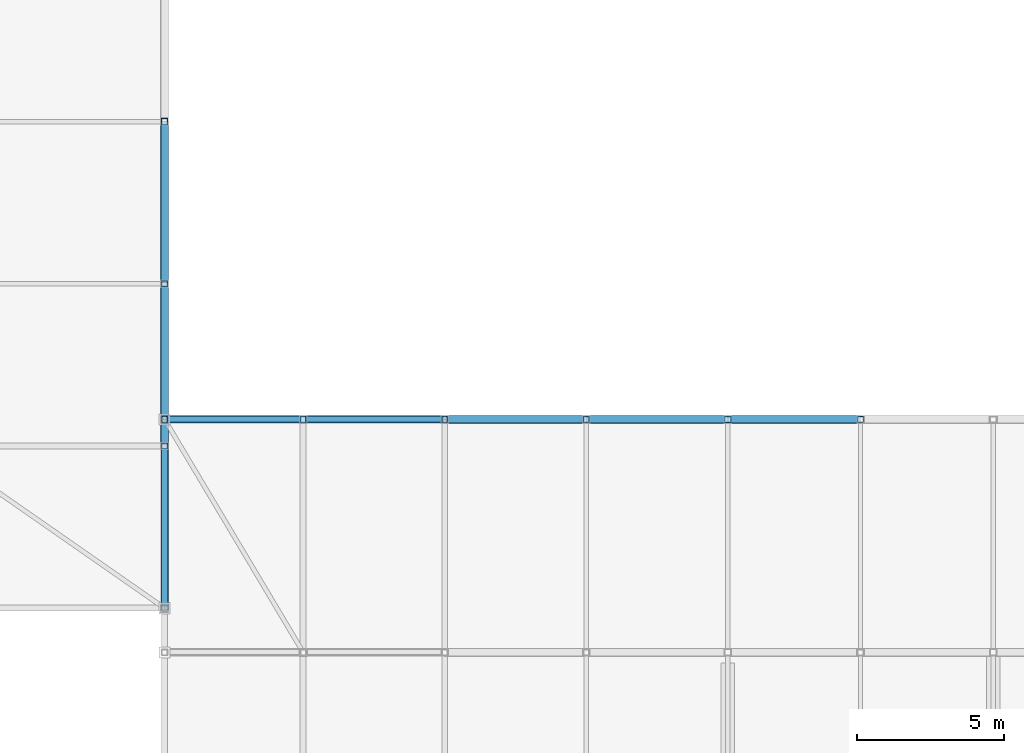
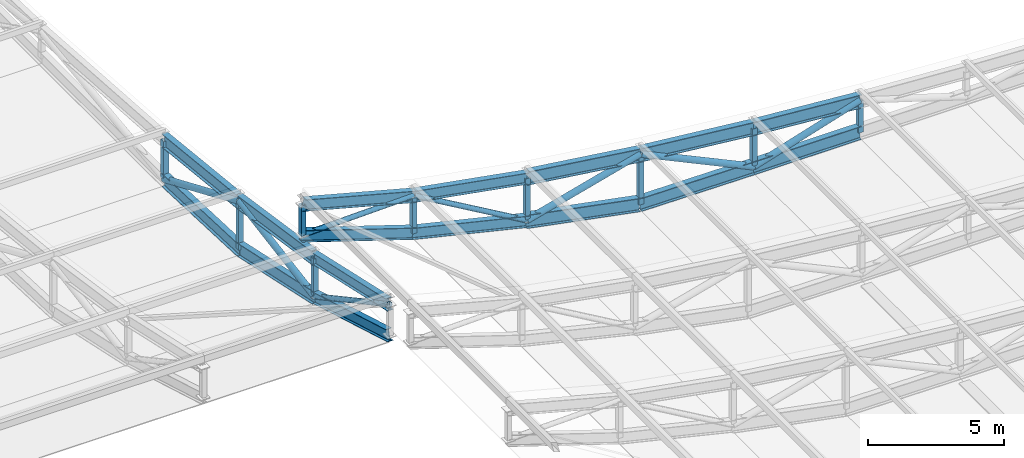
# One storey, part 65 of 114: 17 members, 16 beams.
"""IFC4 building model written with IfcOpenShell, lengths in metres."""

from ifc_helpers import new_model, si_unit, direction, frame, origin, origin_2d, place, context, subcontext, project, spatial, hollow_rectangle, hollow_circle, i_section, extrude, material, material_profile, profile_set, type_object, element, save


model = new_model("IFC4")

# Units and contexts
model_context = context("Model", 3, precision=1e-05, world=origin(), true_north=direction((0.0, 1.0)))
body_context = subcontext(model_context, "Body", "Model", "MODEL_VIEW")
ifc_project = project(units=[si_unit("LENGTHUNIT", "METRE"), si_unit("AREAUNIT", "SQUARE_METRE"), si_unit("VOLUMEUNIT", "CUBIC_METRE"), si_unit("PLANEANGLEUNIT", "RADIAN"), si_unit("MASSUNIT", "GRAM", prefix="KILO"), si_unit("THERMODYNAMICTEMPERATUREUNIT", "KELVIN"), si_unit("POWERUNIT", "WATT")], contexts=[model_context])

# Site, building, storey
site_placement = place(None, origin())
site = spatial("IfcSite", under=ifc_project, at=site_placement, CompositionType="ELEMENT")
building_placement = place(site_placement, origin())
building = spatial("IfcBuilding", under=site, at=building_placement, Name="Sindhuravela Promenade Stadium", CompositionType="ELEMENT")
storey_placement = place(building_placement, frame((0.0, 0.0, 24.0)))
storey = spatial("IfcBuildingStorey", under=building, at=storey_placement, Name="L05", CompositionType="ELEMENT", Elevation=24.0)

# Beams
ifc_material = material(Name="Steel E350 (IS 2062 E350BR)", Category="steel")
ifc_material_profile_1 = material_profile(ifc_material, i_section(OverallWidth=0.25, OverallDepth=0.5, WebThickness=0.010009765625, FlangeThickness=0.0146484375, FilletRadius=0.014892578125, at=origin_2d()), Name="ISWB 500")
ifc_profile_set_1 = profile_set([ifc_material_profile_1], Name="Steel E350 (IS 2062 E350BR)")
beam_type_1 = type_object("IfcBeamType", Name="ST-BM-WB500", PredefinedType="USERDEFINED", material=ifc_profile_set_1)
beam_1_placement = place(storey_placement, frame((170.39990234375, 124.89990234375, 2.889892578125), z_axis=(-0.9842948598662152, 0.0, 0.17653223173388988), x_axis=(0.0, -1.0, 0.0)))
element("IfcBeam", 1, at=beam_1_placement, inside=storey, type_object=beam_type_1, Name="Roof truss RT-E09 top chord 7", ObjectType="ROOF TRUSS", PredefinedType="USERDEFINED", context=body_context, shape_type="SweptSolid", body=[
    extrude(i_section(OverallWidth=0.25, OverallDepth=0.5, WebThickness=0.010009765625, FlangeThickness=0.0146484375, FilletRadius=0.014892578125, at=origin_2d()), origin(), (0.0, 0.0, 1.0), 4.87646484375),
])
beam_2_placement = place(storey_placement, frame((170.39990234375, 124.89990234375, 0.955322265625), z_axis=(-0.9727610703429832, 0.0, 0.23181005160513105), x_axis=(0.0, -1.0, 0.0)))
element("IfcBeam", 2, at=beam_2_placement, inside=storey, type_object=beam_type_1, Name="Roof truss RT-E09 bottom chord 7", ObjectType="ROOF TRUSS", PredefinedType="USERDEFINED", context=body_context, shape_type="SweptSolid", body=[
    extrude(i_section(OverallWidth=0.25, OverallDepth=0.5, WebThickness=0.010009765625, FlangeThickness=0.0146484375, FilletRadius=0.014892578125, at=origin_2d()), origin(), (0.0, 0.0, 1.0), 4.934326171875),
])
beam_3_placement = place(storey_placement, frame((165.60009765625, 124.89990234375, 3.750732421875), z_axis=(-0.9664454134987205, 0.0, 0.2568720746349965), x_axis=(0.0, -1.0, 0.0)))
element("IfcBeam", 3, at=beam_3_placement, inside=storey, type_object=beam_type_1, Name="Roof truss RT-E09 top chord 8", ObjectType="ROOF TRUSS", PredefinedType="USERDEFINED", context=body_context, shape_type="SweptSolid", body=[
    extrude(i_section(OverallWidth=0.25, OverallDepth=0.5, WebThickness=0.010009765625, FlangeThickness=0.0146484375, FilletRadius=0.014892578125, at=origin_2d()), origin(), (0.0, 0.0, 1.0), 4.86328125),
])
beam_4_placement = place(storey_placement, frame((165.60009765625, 124.89990234375, 2.09912109375), z_axis=(-0.951134224020653, 0.0, 0.3087777321903741), x_axis=(0.0, -1.0, 0.0)))
element("IfcBeam", 4, at=beam_4_placement, inside=storey, type_object=beam_type_1, Name="Roof truss RT-E09 bottom chord 8", ObjectType="ROOF TRUSS", PredefinedType="USERDEFINED", context=body_context, shape_type="SweptSolid", body=[
    extrude(i_section(OverallWidth=0.25, OverallDepth=0.5, WebThickness=0.010009765625, FlangeThickness=0.0146484375, FilletRadius=0.014892578125, at=origin_2d()), origin(), (0.0, 0.0, 1.0), 4.941650390625),
])
beam_5_placement = place(storey_placement, frame((160.89990234375, 124.0, 3.169189453125), z_axis=(0.0, -0.9758669805330386, 0.2183658313595103), x_axis=(1.0, 0.0, 0.0)))
element("IfcBeam", 5, at=beam_5_placement, inside=storey, type_object=beam_type_1, Name="Roof truss RT-N09 top chord 5", ObjectType="ROOF TRUSS", PredefinedType="USERDEFINED", context=body_context, shape_type="SweptSolid", body=[
    extrude(i_section(OverallWidth=0.25, OverallDepth=0.5, WebThickness=0.010009765625, FlangeThickness=0.0146484375, FilletRadius=0.014892578125, at=origin_2d()), origin(), (0.0, 0.0, 1.0), 5.635986328125),
])
beam_6_placement = place(storey_placement, frame((160.89990234375, 124.0, 1.419189453125), z_axis=(0.0, -0.9599274278129861, 0.28024869907342015), x_axis=(1.0, 0.0, 0.0)))
element("IfcBeam", 6, at=beam_6_placement, inside=storey, type_object=beam_type_1, Name="Roof truss RT-N09 bottom chord 5", ObjectType="ROOF TRUSS", PredefinedType="USERDEFINED", context=body_context, shape_type="SweptSolid", body=[
    extrude(i_section(OverallWidth=0.25, OverallDepth=0.5, WebThickness=0.010009765625, FlangeThickness=0.0146484375, FilletRadius=0.014892578125, at=origin_2d()), origin(), (0.0, 0.0, 1.0), 5.7294921875),
])
ifc_material_profile_2 = material_profile(ifc_material, i_section(OverallWidth=0.25, OverallDepth=0.60009765625, WebThickness=0.01171875, FlangeThickness=0.023681640625, FilletRadius=0.01708984375, at=origin_2d()), Name="ISWB 600")
ifc_profile_set_2 = profile_set([ifc_material_profile_2], Name="Steel E350 (IS 2062 E350BR)")
beam_type_2 = type_object("IfcBeamType", Name="ST-BM-WB600", PredefinedType="USERDEFINED", material=ifc_profile_set_2)
beam_7_placement = place(storey_placement, frame((184.5, 124.89990234375, 1.4013671875), z_axis=(-0.9968775679455489, 0.0, 0.07896274138457582), x_axis=(0.0, -1.0, 0.0)))
element("IfcBeam", 7, at=beam_7_placement, inside=storey, type_object=beam_type_2, Name="Roof truss RT-E09 top chord 4", ObjectType="ROOF TRUSS", PredefinedType="USERDEFINED", context=body_context, shape_type="SweptSolid", body=[
    extrude(i_section(OverallWidth=0.25, OverallDepth=0.60009765625, WebThickness=0.01171875, FlangeThickness=0.023681640625, FilletRadius=0.01708984375, at=origin_2d()), origin(), (0.0, 0.0, 1.0), 4.51416015625),
])
beam_8_placement = place(storey_placement, frame((184.5, 124.89990234375, 0.0), z_axis=(-1.0, 0.0, 0.0), x_axis=(0.0, -1.0, 0.0)))
element("IfcBeam", 8, at=beam_8_placement, inside=storey, type_object=beam_type_2, Name="Roof truss RT-E09 bottom chord 4", ObjectType="ROOF TRUSS", PredefinedType="USERDEFINED", context=body_context, shape_type="SweptSolid", body=[
    extrude(i_section(OverallWidth=0.25, OverallDepth=0.60009765625, WebThickness=0.01171875, FlangeThickness=0.023681640625, FilletRadius=0.01708984375, at=origin_2d()), origin(), (0.0, 0.0, 1.0), 4.5),
])
beam_9_placement = place(storey_placement, frame((180.0, 124.89990234375, 1.7578125), z_axis=(-0.9947943351162852, 0.0, 0.10190304617894301), x_axis=(0.0, -1.0, 0.0)))
element("IfcBeam", 9, at=beam_9_placement, inside=storey, type_object=beam_type_2, Name="Roof truss RT-E09 top chord 5", ObjectType="ROOF TRUSS", PredefinedType="USERDEFINED", context=body_context, shape_type="SweptSolid", body=[
    extrude(i_section(OverallWidth=0.25, OverallDepth=0.60009765625, WebThickness=0.01171875, FlangeThickness=0.023681640625, FilletRadius=0.01708984375, at=origin_2d()), origin(), (0.0, 0.0, 1.0), 4.8251953125),
])
beam_10_placement = place(storey_placement, frame((180.0, 124.89990234375, 0.0), z_axis=(-0.9999778033758007, 0.0, 0.006662788883690041), x_axis=(0.0, -1.0, 0.0)))
element("IfcBeam", 10, at=beam_10_placement, inside=storey, type_object=beam_type_2, Name="Roof truss RT-E09 bottom chord 5", ObjectType="ROOF TRUSS", PredefinedType="USERDEFINED", context=body_context, shape_type="SweptSolid", body=[
    extrude(i_section(OverallWidth=0.25, OverallDepth=0.60009765625, WebThickness=0.01171875, FlangeThickness=0.023681640625, FilletRadius=0.01708984375, at=origin_2d()), origin(), (0.0, 0.0, 1.0), 4.800048828125),
])
beam_11_placement = place(storey_placement, frame((175.199951171875, 124.89990234375, 2.24951171875), z_axis=(-0.9912177706556925, 0.0, 0.1322396730802035), x_axis=(0.0, -1.0, 0.0)))
element("IfcBeam", 11, at=beam_11_placement, inside=storey, type_object=beam_type_2, Name="Roof truss RT-E09 top chord 6", ObjectType="ROOF TRUSS", PredefinedType="USERDEFINED", context=body_context, shape_type="SweptSolid", body=[
    extrude(i_section(OverallWidth=0.25, OverallDepth=0.60009765625, WebThickness=0.01171875, FlangeThickness=0.023681640625, FilletRadius=0.01708984375, at=origin_2d()), origin(), (0.0, 0.0, 1.0), 4.842529296875),
])
beam_12_placement = place(storey_placement, frame((175.199951171875, 124.89990234375, 0.031982421875), z_axis=(-0.9819968269215247, 0.0, 0.18889741108881575), x_axis=(0.0, -1.0, 0.0)))
element("IfcBeam", 12, at=beam_12_placement, inside=storey, type_object=beam_type_2, Name="Roof truss RT-E09 bottom chord 6", ObjectType="ROOF TRUSS", PredefinedType="USERDEFINED", context=body_context, shape_type="SweptSolid", body=[
    extrude(i_section(OverallWidth=0.25, OverallDepth=0.60009765625, WebThickness=0.01171875, FlangeThickness=0.023681640625, FilletRadius=0.01708984375, at=origin_2d()), origin(), (0.0, 0.0, 1.0), 4.887939453125),
])
beam_13_placement = place(storey_placement, frame((160.89990234375, 135.0, 1.76318359375), z_axis=(0.0, -0.9943078180575428, 0.1065455909441987), x_axis=(1.0, 0.0, 0.0)))
element("IfcBeam", 13, at=beam_13_placement, inside=storey, type_object=beam_type_2, Name="Roof truss RT-N09 top chord 3", ObjectType="ROOF TRUSS", PredefinedType="USERDEFINED", context=body_context, shape_type="SweptSolid", body=[
    extrude(i_section(OverallWidth=0.25, OverallDepth=0.60009765625, WebThickness=0.01171875, FlangeThickness=0.023681640625, FilletRadius=0.01708984375, at=origin_2d()), origin(), (0.0, 0.0, 1.0), 5.531494140625),
])
beam_14_placement = place(storey_placement, frame((160.89990234375, 135.0, 0.0), z_axis=(0.0, -0.9991453279387894, 0.04133538022189949), x_axis=(1.0, 0.0, 0.0)))
element("IfcBeam", 14, at=beam_14_placement, inside=storey, type_object=beam_type_2, Name="Roof truss RT-N09 bottom chord 3", ObjectType="ROOF TRUSS", PredefinedType="USERDEFINED", context=body_context, shape_type="SweptSolid", body=[
    extrude(i_section(OverallWidth=0.25, OverallDepth=0.60009765625, WebThickness=0.01171875, FlangeThickness=0.023681640625, FilletRadius=0.01708984375, at=origin_2d()), origin(), (0.0, 0.0, 1.0), 5.504638671875),
])
beam_15_placement = place(storey_placement, frame((160.89990234375, 129.5, 2.3525390625), z_axis=(0.0, -0.9891555530237203, 0.14687168523012892), x_axis=(1.0, 0.0, 0.0)))
element("IfcBeam", 15, at=beam_15_placement, inside=storey, type_object=beam_type_2, Name="Roof truss RT-N09 top chord 4", ObjectType="ROOF TRUSS", PredefinedType="USERDEFINED", context=body_context, shape_type="SweptSolid", body=[
    extrude(i_section(OverallWidth=0.25, OverallDepth=0.60009765625, WebThickness=0.01171875, FlangeThickness=0.023681640625, FilletRadius=0.01708984375, at=origin_2d()), origin(), (0.0, 0.0, 1.0), 5.560302734375),
])
beam_16_placement = place(storey_placement, frame((160.89990234375, 129.5, 0.2275390625), z_axis=(0.0, -0.9773237385626684, 0.21175058451368894), x_axis=(1.0, 0.0, 0.0)))
element("IfcBeam", 16, at=beam_16_placement, inside=storey, type_object=beam_type_2, Name="Roof truss RT-N09 bottom chord 4", ObjectType="ROOF TRUSS", PredefinedType="USERDEFINED", context=body_context, shape_type="SweptSolid", body=[
    extrude(i_section(OverallWidth=0.25, OverallDepth=0.60009765625, WebThickness=0.01171875, FlangeThickness=0.023681640625, FilletRadius=0.01708984375, at=origin_2d()), origin(), (0.0, 0.0, 1.0), 5.627685546875),
])

# Members
ifc_material_profile_3 = material_profile(ifc_material, hollow_circle(Radius=0.109619140625, WallThickness=0.010009765625, at=origin_2d()), Name="CHS 219.1x10")
ifc_profile_set_3 = profile_set([ifc_material_profile_3], Name="Steel E350 (IS 2062 E350BR)")
member_type_1 = type_object("IfcMemberType", Name="ST-MB-CHS219", PredefinedType="BRACE", material=ifc_profile_set_3)
member_1_placement = place(storey_placement, frame((170.39990234375, 124.89990234375, 0.955322265625), z_axis=(-0.8641294101630913, 0.0, 0.5032696717379143), x_axis=(0.0, -1.0, 0.0)))
element("IfcMember", 17, at=member_1_placement, inside=storey, type_object=member_type_1, Name="Roof truss RT-E09 diagonal web 7", PredefinedType="BRACE", context=body_context, shape_type="SweptSolid", body=[
    extrude(hollow_circle(Radius=0.109619140625, WallThickness=0.010009765625, at=origin_2d()), origin(), (0.0, 0.0, 1.0), 5.554443359375),
])
member_2_placement = place(storey_placement, frame((165.60009765625, 124.89990234375, 3.750732421875), z_axis=(-0.9996423981548164, 0.0, -0.02674090146736601), x_axis=(0.0, -1.0, 0.0)))
element("IfcMember", 18, at=member_2_placement, inside=storey, type_object=member_type_1, Name="Roof truss RT-E09 diagonal web 8", PredefinedType="BRACE", context=body_context, shape_type="SweptSolid", body=[
    extrude(hollow_circle(Radius=0.109619140625, WallThickness=0.010009765625, at=origin_2d()), origin(), (0.0, 0.0, 1.0), 4.701904296875),
])
member_3_placement = place(storey_placement, frame((160.89990234375, 124.0, 1.419189453125), z_axis=(0.0, -0.8791884339384995, 0.47647423605979855), x_axis=(1.0, 0.0, 0.0)))
element("IfcMember", 19, at=member_3_placement, inside=storey, type_object=member_type_1, Name="Roof truss RT-N09 diagonal web 5", PredefinedType="BRACE", context=body_context, shape_type="SweptSolid", body=[
    extrude(hollow_circle(Radius=0.109619140625, WallThickness=0.010009765625, at=origin_2d()), origin(), (0.0, 0.0, 1.0), 6.255859375),
])
ifc_material_profile_4 = material_profile(ifc_material, hollow_circle(Radius=0.136474609375, WallThickness=0.010009765625, at=origin_2d()), Name="CHS 273.0x10")
ifc_profile_set_4 = profile_set([ifc_material_profile_4], Name="Steel E350 (IS 2062 E350BR)")
member_type_2 = type_object("IfcMemberType", Name="ST-MB-CHS273", PredefinedType="BRACE", material=ifc_profile_set_4)
member_4_placement = place(storey_placement, frame((184.5, 124.89990234375, 1.4013671875), z_axis=(-0.9547744570376746, 0.0, -0.2973310212346057), x_axis=(0.0, -1.0, 0.0)))
element("IfcMember", 20, at=member_4_placement, inside=storey, type_object=member_type_2, Name="Roof truss RT-E09 diagonal web 4", PredefinedType="BRACE", context=body_context, shape_type="SweptSolid", body=[
    extrude(hollow_circle(Radius=0.136474609375, WallThickness=0.010009765625, at=origin_2d()), origin(), (0.0, 0.0, 1.0), 4.713134765625),
])
member_5_placement = place(storey_placement, frame((180.0, 124.89990234375, 0.0), z_axis=(-0.9054959907272458, 0.0, 0.4243548170775059), x_axis=(0.0, -1.0, 0.0)))
element("IfcMember", 21, at=member_5_placement, inside=storey, type_object=member_type_2, Name="Roof truss RT-E09 diagonal web 5", PredefinedType="BRACE", context=body_context, shape_type="SweptSolid", body=[
    extrude(hollow_circle(Radius=0.136474609375, WallThickness=0.010009765625, at=origin_2d()), origin(), (0.0, 0.0, 1.0), 5.301025390625),
])
member_6_placement = place(storey_placement, frame((175.199951171875, 124.89990234375, 2.24951171875), z_axis=(-0.9655213389510635, 0.0, -0.26032392135596294), x_axis=(0.0, -1.0, 0.0)))
element("IfcMember", 22, at=member_6_placement, inside=storey, type_object=member_type_2, Name="Roof truss RT-E09 diagonal web 6", PredefinedType="BRACE", context=body_context, shape_type="SweptSolid", body=[
    extrude(hollow_circle(Radius=0.136474609375, WallThickness=0.010009765625, at=origin_2d()), origin(), (0.0, 0.0, 1.0), 4.971435546875),
])
member_7_placement = place(storey_placement, frame((160.89990234375, 135.0, 0.0), z_axis=(0.0, -0.9194234507496676, 0.3932690150667524), x_axis=(1.0, 0.0, 0.0)))
element("IfcMember", 23, at=member_7_placement, inside=storey, type_object=member_type_2, Name="Roof truss RT-N09 diagonal web 3", PredefinedType="BRACE", context=body_context, shape_type="SweptSolid", body=[
    extrude(hollow_circle(Radius=0.136474609375, WallThickness=0.010009765625, at=origin_2d()), origin(), (0.0, 0.0, 1.0), 5.98193359375),
])
member_8_placement = place(storey_placement, frame((160.89990234375, 129.5, 2.3525390625), z_axis=(0.0, -0.9859046851385784, -0.1673079550463772), x_axis=(1.0, 0.0, 0.0)))
element("IfcMember", 24, at=member_8_placement, inside=storey, type_object=member_type_2, Name="Roof truss RT-N09 diagonal web 4", PredefinedType="BRACE", context=body_context, shape_type="SweptSolid", body=[
    extrude(hollow_circle(Radius=0.136474609375, WallThickness=0.010009765625, at=origin_2d()), origin(), (0.0, 0.0, 1.0), 5.57861328125),
])
ifc_material_profile_5 = material_profile(ifc_material, hollow_rectangle(XDim=0.199951171875, YDim=0.199951171875, WallThickness=0.010009765625, at=origin_2d()), Name="SHS 200x200x10")
ifc_profile_set_5 = profile_set([ifc_material_profile_5], Name="Steel E350 (IS 2062 E350BR)")
member_type_3 = type_object("IfcMemberType", Name="ST-MB-SHS200", PredefinedType="POST", material=ifc_profile_set_5)
member_9_placement = place(storey_placement, frame((184.5, 124.89990234375, 0.0), z_axis=(0.0, 0.0, 1.0), x_axis=(1.0, 0.0, 0.0)))
element("IfcMember", 25, at=member_9_placement, inside=storey, type_object=member_type_3, Name="Roof truss RT-E09 vertical post 4", PredefinedType="POST", context=body_context, shape_type="SweptSolid", body=[
    extrude(hollow_rectangle(XDim=0.199951171875, YDim=0.199951171875, WallThickness=0.010009765625, at=origin_2d()), origin(), (0.0, 0.0, 1.0), 1.4013671875),
])
member_10_placement = place(storey_placement, frame((175.199951171875, 124.89990234375, 0.031982421875), z_axis=(0.0, 0.0, 1.0), x_axis=(1.0, 0.0, 0.0)))
element("IfcMember", 26, at=member_10_placement, inside=storey, type_object=member_type_3, Name="Roof truss RT-E09 vertical post 6", PredefinedType="POST", context=body_context, shape_type="SweptSolid", body=[
    extrude(hollow_rectangle(XDim=0.199951171875, YDim=0.199951171875, WallThickness=0.010009765625, at=origin_2d()), origin(), (0.0, 0.0, 1.0), 2.217529296875),
])
member_11_placement = place(storey_placement, frame((170.39990234375, 124.89990234375, 0.955322265625), z_axis=(0.0, 0.0, 1.0), x_axis=(1.0, 0.0, 0.0)))
element("IfcMember", 27, at=member_11_placement, inside=storey, type_object=member_type_3, Name="Roof truss RT-E09 vertical post 7", PredefinedType="POST", context=body_context, shape_type="SweptSolid", body=[
    extrude(hollow_rectangle(XDim=0.199951171875, YDim=0.199951171875, WallThickness=0.010009765625, at=origin_2d()), origin(), (0.0, 0.0, 1.0), 1.9345703125),
])
member_12_placement = place(storey_placement, frame((165.60009765625, 124.89990234375, 2.09912109375), z_axis=(0.0, 0.0, 1.0), x_axis=(1.0, 0.0, 0.0)))
element("IfcMember", 28, at=member_12_placement, inside=storey, type_object=member_type_3, Name="Roof truss RT-E09 vertical post 8", PredefinedType="POST", context=body_context, shape_type="SweptSolid", body=[
    extrude(hollow_rectangle(XDim=0.199951171875, YDim=0.199951171875, WallThickness=0.010009765625, at=origin_2d()), origin(), (0.0, 0.0, 1.0), 1.651611328125),
])
member_13_placement = place(storey_placement, frame((160.89990234375, 124.89990234375, 3.625), z_axis=(0.0, 0.0, 1.0), x_axis=(1.0, 0.0, 0.0)))
element("IfcMember", 29, at=member_13_placement, inside=storey, type_object=member_type_3, Name="Roof truss RT-E09 vertical post 9", PredefinedType="POST", context=body_context, shape_type="SweptSolid", body=[
    extrude(hollow_rectangle(XDim=0.199951171875, YDim=0.199951171875, WallThickness=0.010009765625, at=origin_2d()), origin(), (0.0, 0.0, 1.0), 1.375),
])
member_14_placement = place(storey_placement, frame((160.89990234375, 129.5, 0.2275390625), z_axis=(0.0, 0.0, 1.0), x_axis=(1.0, 0.0, 0.0)))
element("IfcMember", 30, at=member_14_placement, inside=storey, type_object=member_type_3, Name="Roof truss RT-N09 vertical post 4", PredefinedType="POST", context=body_context, shape_type="SweptSolid", body=[
    extrude(hollow_rectangle(XDim=0.199951171875, YDim=0.199951171875, WallThickness=0.010009765625, at=origin_2d()), origin(), (0.0, 0.0, 1.0), 2.125),
])
member_15_placement = place(storey_placement, frame((160.89990234375, 124.0, 1.419189453125), z_axis=(0.0, 0.0, 1.0), x_axis=(1.0, 0.0, 0.0)))
element("IfcMember", 31, at=member_15_placement, inside=storey, type_object=member_type_3, Name="Roof truss RT-N09 vertical post 5", PredefinedType="POST", context=body_context, shape_type="SweptSolid", body=[
    extrude(hollow_rectangle(XDim=0.199951171875, YDim=0.199951171875, WallThickness=0.010009765625, at=origin_2d()), origin(), (0.0, 0.0, 1.0), 1.75),
])
ifc_material_profile_6 = material_profile(ifc_material, hollow_rectangle(XDim=0.219970703125, YDim=0.219970703125, WallThickness=0.011962890625, at=origin_2d()), Name="SHS 220x220x12")
ifc_profile_set_6 = profile_set([ifc_material_profile_6], Name="Steel E350 (IS 2062 E350BR)")
member_type_4 = type_object("IfcMemberType", Name="ST-MB-SHS220", PredefinedType="POST", material=ifc_profile_set_6)
member_16_placement = place(storey_placement, frame((180.0, 124.89990234375, 0.0), z_axis=(0.0, 0.0, 1.0), x_axis=(1.0, 0.0, 0.0)))
element("IfcMember", 32, at=member_16_placement, inside=storey, type_object=member_type_4, Name="Roof truss RT-E09 vertical post 5", PredefinedType="POST", context=body_context, shape_type="SweptSolid", body=[
    extrude(hollow_rectangle(XDim=0.219970703125, YDim=0.219970703125, WallThickness=0.011962890625, at=origin_2d()), origin(), (0.0, 0.0, 1.0), 1.7578125),
])
member_17_placement = place(storey_placement, frame((160.89990234375, 135.0, 0.0), z_axis=(0.0, 0.0, 1.0), x_axis=(1.0, 0.0, 0.0)))
element("IfcMember", 33, at=member_17_placement, inside=storey, type_object=member_type_4, Name="Roof truss RT-N09 vertical post 3", PredefinedType="POST", context=body_context, shape_type="SweptSolid", body=[
    extrude(hollow_rectangle(XDim=0.219970703125, YDim=0.219970703125, WallThickness=0.011962890625, at=origin_2d()), origin(), (0.0, 0.0, 1.0), 1.76318359375),
])

save(model, "model.ifc")
